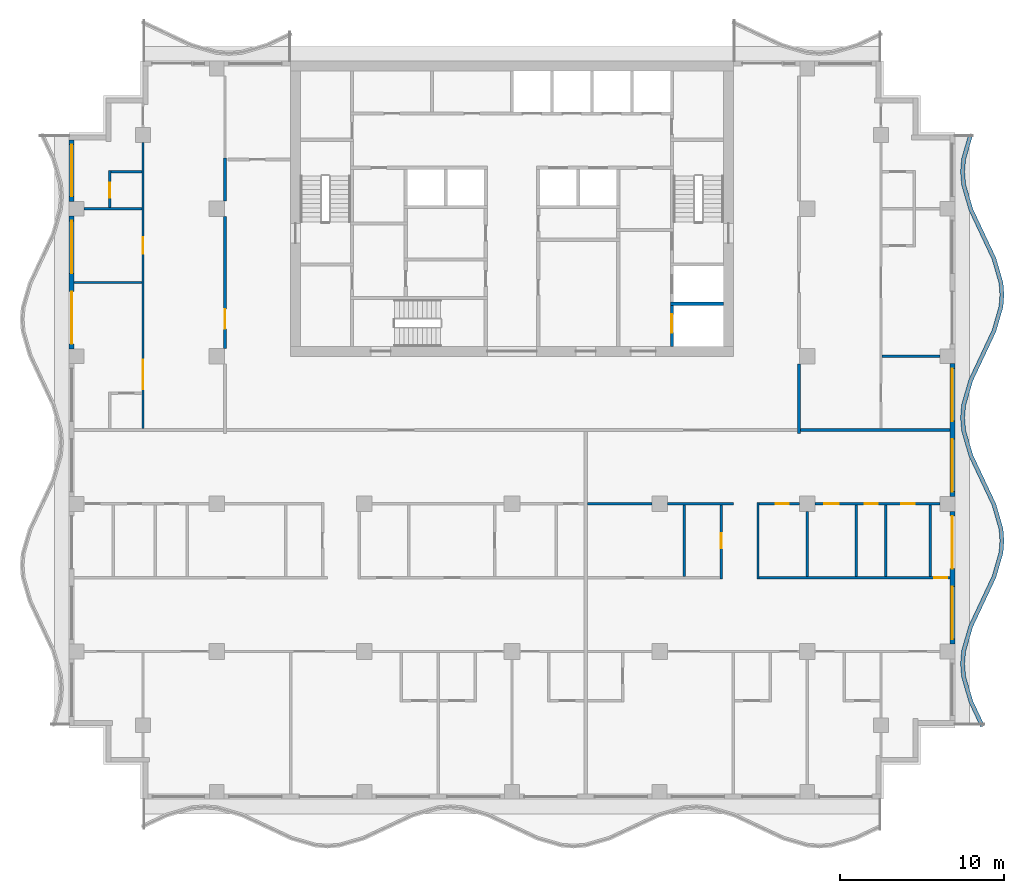
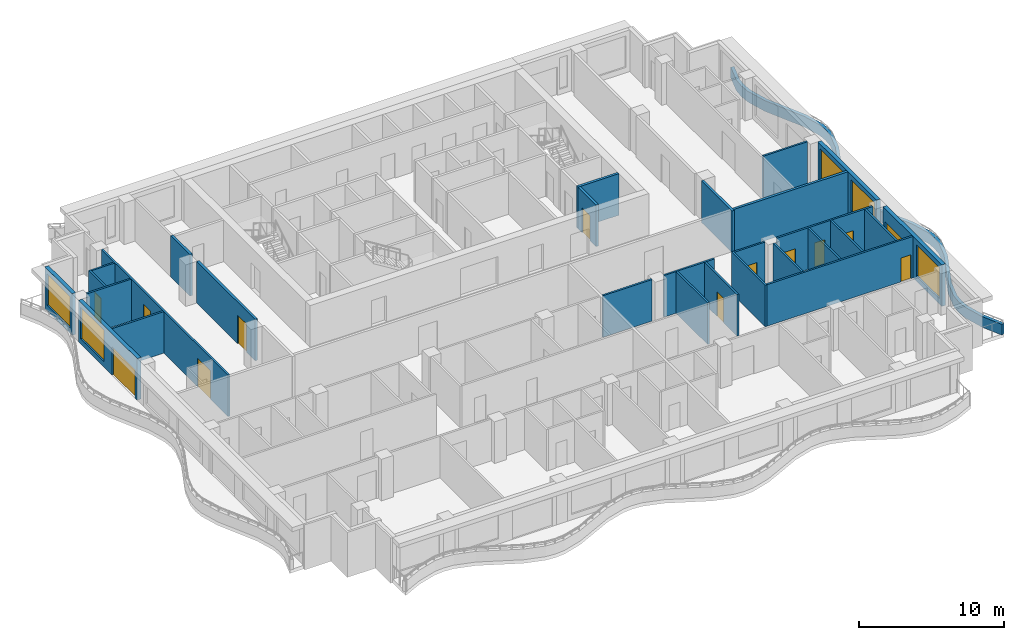
# One storey, part 4 of 11: 29 walls, 13 doors, 5 windows, 18 openings.
"""IFC4 building model written with IfcOpenShell, lengths in metres."""

from ifc_helpers import new_model, si_unit, direction, frame, frame_2d, origin, place, context, subcontext, project, spatial, polyline, rectangle, outline, extrude, material, layer, layer_set, type_object, element, fill, save


model = new_model("IFC4")

# Units and contexts
model_context = context("Model", 3, precision=1e-05, world=origin(), true_north=direction((0.0, 1.0)))
body_context = subcontext(model_context, "Body", "Model", "MODEL_VIEW")
ifc_project = project(units=[si_unit("LENGTHUNIT", "METRE"), si_unit("AREAUNIT", "SQUARE_METRE"), si_unit("VOLUMEUNIT", "CUBIC_METRE"), si_unit("PLANEANGLEUNIT", "RADIAN"), si_unit("MASSUNIT", "GRAM", prefix="KILO")], contexts=[model_context])

# Site, building, storey
site_placement = place(None, origin())
site = spatial("IfcSite", under=ifc_project, at=site_placement, CompositionType="ELEMENT")
building_placement = place(site_placement, origin())
building = spatial("IfcBuilding", under=site, at=building_placement, Name="Orbiselva Terraces", CompositionType="ELEMENT")
storey_placement = place(building_placement, frame((0.0, 0.0, 257.8)))
storey = spatial("IfcBuildingStorey", under=building, at=storey_placement, Name="L65", CompositionType="ELEMENT", Elevation=257.8)

# Wall, opening, door
ifc_material_1 = material(Name="Concrete C60/75", Category="concrete")
ifc_layer_1 = layer(ifc_material_1, 0.2)
ifc_layer_set_1 = layer_set([ifc_layer_1], Name="Concrete C60/75")
wall_type_1 = type_object("IfcWallType", Name="CORE-WALL-SHEAR-200", PredefinedType="SHEAR", material=ifc_layer_set_1)
wall_1_placement = place(storey_placement, frame((9.75, 5.1, 0.0), z_axis=(0.0, 0.0, 1.0), x_axis=(0.0, 1.0, 0.0)))
wall_1 = element("IfcWall", 1, at=wall_1_placement, inside=storey, type_object=wall_type_1, Name="L65 core wall 42", PredefinedType="SHEAR", context=body_context, shape_type="SweptSolid", body=[
    extrude(rectangle(XDim=2.5, YDim=0.2, at=frame_2d((1.25, 0.0))), origin(), (0.0, 0.0, 1.0), 3.5),
])
opening_1_placement = place(wall_1_placement, frame((0.85, 0.0, 0.0)))
opening_1 = element("IfcOpeningElement", 2, at=opening_1_placement, cuts=wall_1, Name="Opening LD-FF1", PredefinedType="OPENING", context=body_context, shape_type="SweptSolid", body=[
    extrude(rectangle(XDim=1.1, YDim=2.1, at=frame_2d((0.55, 1.05))), frame((0.0, 0.11, 0.0), z_axis=(0.0, -1.0, 0.0), x_axis=(1.0, 0.0, 0.0)), (0.0, 0.0, 1.0), 0.22),
])
ifc_material_2 = material(Name="Stainless steel landing door", Category="steel")
door_type_1 = type_object("IfcDoorType", Name="LANDING DOOR 1100", OperationType="SLIDING_TO_LEFT", PredefinedType="DOOR", material=ifc_material_2)
door_1_placement = place(opening_1_placement, origin())
door_1 = element("IfcDoor", 3, at=door_1_placement, inside=storey, type_object=door_type_1, Name="L65 landing door FF1", OperationType="SLIDING_TO_RIGHT", OverallHeight=2.1, OverallWidth=1.1, PredefinedType="DOOR", context=body_context, shape_type="SweptSolid", body=[
    extrude(rectangle(XDim=1.1, YDim=2.1, at=frame_2d((0.55, 1.05))), frame((0.0, 0.025, 0.0), z_axis=(0.0, -1.0, 0.0), x_axis=(1.0, 0.0, 0.0)), (0.0, 0.0, 1.0), 0.05),
])
fill(opening_1, door_1)

# Walls
wall_2_placement = place(storey_placement, frame((9.65, 7.7, 0.0), z_axis=(0.0, 0.0, 1.0), x_axis=(1.0, 0.0, 0.0)))
element("IfcWall", 4, at=wall_2_placement, inside=storey, type_object=wall_type_1, Name="L65 core wall 43", PredefinedType="SHEAR", context=body_context, shape_type="SweptSolid", body=[
    extrude(rectangle(XDim=3.25, YDim=0.2, at=frame_2d((1.625, 0.0))), origin(), (0.0, 0.0, 1.0), 3.5),
])
ifc_material_3 = material(Name="Concrete C40/50", Category="concrete")
ifc_layer_2 = layer(ifc_material_3, 0.25)
ifc_layer_set_2 = layer_set([ifc_layer_2], Name="Concrete C40/50")
wall_type_2 = type_object("IfcWallType", Name="ENV-PLANTER-250x900", PredefinedType="USERDEFINED", material=ifc_layer_set_2)
wall_3_placement = place(storey_placement, origin())
element("IfcWall", 5, at=wall_3_placement, inside=storey, type_object=wall_type_2, Name="Balcony planter L65 E", ObjectType="PLANTER", PredefinedType="USERDEFINED", context=body_context, shape_type="SweptSolid", body=[
    extrude(outline(polyline([(28.8, -18.0), (28.094658, -16.5), (27.658732, -15.0), (27.6, -14.25), (27.658732, -13.5), (28.094658, -12.0), (28.8, -10.5), (29.505342, -9.0), (29.941268, -7.5), (30.0, -6.75), (29.941268, -6.0), (29.505342, -4.5), (28.8, -3.0), (28.094658, -1.5), (27.658732, 0.0), (27.6, 0.75), (27.658732, 1.5), (28.094658, 3.0), (28.8, 4.5), (29.505342, 6.0), (29.941268, 7.5), (30.0, 8.25), (29.941268, 9.0), (29.505342, 10.5), (28.8, 12.0), (28.094658, 13.5), (27.658732, 15.0), (27.6, 15.75), (27.658732, 16.5), (28.094658, 18.0), (27.85459, 18.069768), (27.411499, 16.545114), (27.349235, 15.75), (27.411499, 14.954886), (27.860069, 13.411382), (28.573764, 11.893617), (29.270753, 10.411382), (29.694035, 8.954886), (29.749235, 8.25), (29.694035, 7.545114), (29.270753, 6.088618), (28.573764, 4.606383), (27.860069, 3.088618), (27.411499, 1.545114), (27.349235, 0.75), (27.411499, -0.045114), (27.860069, -1.588618), (28.573764, -3.106383), (29.270753, -4.588618), (29.694035, -6.045114), (29.749235, -6.75), (29.694035, -7.454886), (29.270753, -8.911382), (28.573764, -10.393617), (27.860069, -11.911382), (27.411499, -13.454886), (27.349235, -14.25), (27.411499, -15.045114), (27.860069, -16.588618), (28.573764, -18.106383), (28.8, -18.0)])), origin(), (0.0, 0.0, 1.0), 0.9),
])

# Wall, openings, door, window
ifc_material_4 = material(Name="Terracotta cladding on masonry backing", Category="masonry")
ifc_layer_3 = layer(ifc_material_4, 0.3)
ifc_layer_set_3 = layer_set([ifc_layer_3], Name="Terracotta cladding on masonry backing")
wall_type_3 = type_object("IfcWallType", Name="ENV-WALL-TERRACOTTA-300", PredefinedType="SOLIDWALL", material=ifc_layer_set_3)
wall_4_placement = place(storey_placement, frame((26.85, -4.95, 0.0), z_axis=(0.0, 0.0, 1.0), x_axis=(0.0, -1.0, 0.0)))
wall_4 = element("IfcWall", 6, at=wall_4_placement, inside=storey, type_object=wall_type_3, Name="Facade wall L65 E", PredefinedType="SOLIDWALL", context=body_context, shape_type="SweptSolid", body=[
    extrude(rectangle(XDim=8.1, YDim=0.3, at=frame_2d((4.05, 0.0))), origin(), (0.0, 0.0, 1.0), 3.5),
])
opening_2_placement = place(wall_4_placement, frame((4.6, 0.0, 0.45)))
opening_2 = element("IfcOpeningElement", 7, at=opening_2_placement, cuts=wall_4, Name="Opening WN17", PredefinedType="OPENING", context=body_context, shape_type="SweptSolid", body=[
    extrude(rectangle(XDim=3.2, YDim=2.65, at=frame_2d((1.6, 1.325))), frame((0.0, 0.16, 0.0), z_axis=(0.0, -1.0, 0.0), x_axis=(1.0, 0.0, 0.0)), (0.0, 0.0, 1.0), 0.32),
])
opening_3_placement = place(wall_4_placement, frame((0.3, 0.0, 0.0)))
opening_3 = element("IfcOpeningElement", 8, at=opening_3_placement, cuts=wall_4, Name="Opening Z5-B-E14", PredefinedType="OPENING", context=body_context, shape_type="SweptSolid", body=[
    extrude(rectangle(XDim=3.2, YDim=2.4, at=frame_2d((1.6, 1.2))), frame((0.0, 0.16, 0.0), z_axis=(0.0, -1.0, 0.0), x_axis=(1.0, 0.0, 0.0)), (0.0, 0.0, 1.0), 0.32),
])
ifc_material_5 = material(Name="Clear low-e glazing in aluminium frame", Category="aluminium")
door_type_2 = type_object("IfcDoorType", Name="BALCONY DOOR 3200 X 2400", OperationType="DOUBLE_DOOR_SLIDING", PredefinedType="DOOR", material=ifc_material_5)
door_2_placement = place(opening_3_placement, origin())
door_2 = element("IfcDoor", 9, at=door_2_placement, inside=storey, type_object=door_type_2, Name="Z5-B-E14", OperationType="SINGLE_SWING_LEFT", OverallHeight=2.4, OverallWidth=3.2, PredefinedType="DOOR", context=body_context, shape_type="SweptSolid", body=[
    extrude(rectangle(XDim=3.2, YDim=2.4, at=frame_2d((1.6, 1.2))), frame((0.0, 0.025, 0.0), z_axis=(0.0, -1.0, 0.0), x_axis=(1.0, 0.0, 0.0)), (0.0, 0.0, 1.0), 0.05),
])
fill(opening_3, door_2)
window_type_1 = type_object("IfcWindowType", Name="WINDOW 3200 X 2650 S450", PartitioningType="TRIPLE_PANEL_VERTICAL", PredefinedType="WINDOW", material=ifc_material_5)
window_1_placement = place(opening_2_placement, origin())
window_1 = element("IfcWindow", 10, at=window_1_placement, inside=storey, type_object=window_type_1, Name="Window L65 E", OverallHeight=2.65, OverallWidth=3.2, PartitioningType="SINGLE_PANEL", PredefinedType="WINDOW", context=body_context, shape_type="SweptSolid", body=[
    extrude(rectangle(XDim=3.2, YDim=2.65, at=frame_2d((1.6, 1.325))), frame((0.0, 0.03, 0.0), z_axis=(0.0, -1.0, 0.0), x_axis=(1.0, 0.0, 0.0)), (0.0, 0.0, 1.0), 0.06),
])
fill(opening_2, window_1)

# Wall, openings, windows
wall_5_placement = place(storey_placement, frame((26.85, 4.05, 0.0), z_axis=(0.0, 0.0, 1.0), x_axis=(0.0, -1.0, 0.0)))
wall_5 = element("IfcWall", 11, at=wall_5_placement, inside=storey, type_object=wall_type_3, Name="Facade wall L65 E", PredefinedType="SOLIDWALL", context=body_context, shape_type="SweptSolid", body=[
    extrude(rectangle(XDim=8.1, YDim=0.3, at=frame_2d((4.05, 0.0))), origin(), (0.0, 0.0, 1.0), 3.5),
])
opening_4_placement = place(wall_5_placement, frame((4.6, 0.0, 0.45)))
opening_4 = element("IfcOpeningElement", 12, at=opening_4_placement, cuts=wall_5, Name="Opening WN17", PredefinedType="OPENING", context=body_context, shape_type="SweptSolid", body=[
    extrude(rectangle(XDim=3.2, YDim=2.65, at=frame_2d((1.6, 1.325))), frame((0.0, 0.16, 0.0), z_axis=(0.0, -1.0, 0.0), x_axis=(1.0, 0.0, 0.0)), (0.0, 0.0, 1.0), 0.32),
])
opening_5_placement = place(wall_5_placement, frame((0.3, 0.0, 0.45)))
opening_5 = element("IfcOpeningElement", 13, at=opening_5_placement, cuts=wall_5, Name="Opening WN17", PredefinedType="OPENING", context=body_context, shape_type="SweptSolid", body=[
    extrude(rectangle(XDim=3.2, YDim=2.65, at=frame_2d((1.6, 1.325))), frame((0.0, 0.16, 0.0), z_axis=(0.0, -1.0, 0.0), x_axis=(1.0, 0.0, 0.0)), (0.0, 0.0, 1.0), 0.32),
])
window_2_placement = place(opening_4_placement, origin())
window_2 = element("IfcWindow", 14, at=window_2_placement, inside=storey, type_object=window_type_1, Name="Window L65 E", OverallHeight=2.65, OverallWidth=3.2, PartitioningType="SINGLE_PANEL", PredefinedType="WINDOW", context=body_context, shape_type="SweptSolid", body=[
    extrude(rectangle(XDim=3.2, YDim=2.65, at=frame_2d((1.6, 1.325))), frame((0.0, 0.03, 0.0), z_axis=(0.0, -1.0, 0.0), x_axis=(1.0, 0.0, 0.0)), (0.0, 0.0, 1.0), 0.06),
])
fill(opening_4, window_2)
window_3_placement = place(opening_5_placement, origin())
window_3 = element("IfcWindow", 15, at=window_3_placement, inside=storey, type_object=window_type_1, Name="Window L65 E", OverallHeight=2.65, OverallWidth=3.2, PartitioningType="SINGLE_PANEL", PredefinedType="WINDOW", context=body_context, shape_type="SweptSolid", body=[
    extrude(rectangle(XDim=3.2, YDim=2.65, at=frame_2d((1.6, 1.325))), frame((0.0, 0.03, 0.0), z_axis=(0.0, -1.0, 0.0), x_axis=(1.0, 0.0, 0.0)), (0.0, 0.0, 1.0), 0.06),
])
fill(opening_5, window_3)

# Wall, opening, window
wall_6_placement = place(storey_placement, frame((-26.85, 13.95, 0.0), z_axis=(0.0, 0.0, 1.0), x_axis=(0.0, 1.0, 0.0)))
wall_6 = element("IfcWall", 16, at=wall_6_placement, inside=storey, type_object=wall_type_3, Name="Facade wall L65 W", PredefinedType="SOLIDWALL", context=body_context, shape_type="SweptSolid", body=[
    extrude(rectangle(XDim=3.75, YDim=0.3, at=frame_2d((1.875, 0.0))), origin(), (0.0, 0.0, 1.0), 3.5),
])
opening_6_placement = place(wall_6_placement, frame((0.3, 0.0, 0.45)))
opening_6 = element("IfcOpeningElement", 17, at=opening_6_placement, cuts=wall_6, Name="Opening WN16", PredefinedType="OPENING", context=body_context, shape_type="SweptSolid", body=[
    extrude(rectangle(XDim=3.15, YDim=2.65, at=frame_2d((1.575, 1.325))), frame((0.0, 0.16, 0.0), z_axis=(0.0, -1.0, 0.0), x_axis=(1.0, 0.0, 0.0)), (0.0, 0.0, 1.0), 0.32),
])
window_type_2 = type_object("IfcWindowType", Name="WINDOW 3150 X 2650 S450", PartitioningType="TRIPLE_PANEL_VERTICAL", PredefinedType="WINDOW", material=ifc_material_5)
window_4_placement = place(opening_6_placement, origin())
window_4 = element("IfcWindow", 18, at=window_4_placement, inside=storey, type_object=window_type_2, Name="Window L65 W", OverallHeight=2.65, OverallWidth=3.15, PartitioningType="SINGLE_PANEL", PredefinedType="WINDOW", context=body_context, shape_type="SweptSolid", body=[
    extrude(rectangle(XDim=3.15, YDim=2.65, at=frame_2d((1.575, 1.325))), frame((0.0, 0.03, 0.0), z_axis=(0.0, -1.0, 0.0), x_axis=(1.0, 0.0, 0.0)), (0.0, 0.0, 1.0), 0.06),
])
fill(opening_6, window_4)

# Wall, openings, door, window
wall_7_placement = place(storey_placement, frame((-26.85, 4.95, 0.0), z_axis=(0.0, 0.0, 1.0), x_axis=(0.0, 1.0, 0.0)))
wall_7 = element("IfcWall", 19, at=wall_7_placement, inside=storey, type_object=wall_type_3, Name="Facade wall L65 W", PredefinedType="SOLIDWALL", context=body_context, shape_type="SweptSolid", body=[
    extrude(rectangle(XDim=8.1, YDim=0.3, at=frame_2d((4.05, 0.0))), origin(), (0.0, 0.0, 1.0), 3.5),
])
opening_7_placement = place(wall_7_placement, frame((4.6, 0.0, 0.45)))
opening_7 = element("IfcOpeningElement", 20, at=opening_7_placement, cuts=wall_7, Name="Opening WN17", PredefinedType="OPENING", context=body_context, shape_type="SweptSolid", body=[
    extrude(rectangle(XDim=3.2, YDim=2.65, at=frame_2d((1.6, 1.325))), frame((0.0, 0.16, 0.0), z_axis=(0.0, -1.0, 0.0), x_axis=(1.0, 0.0, 0.0)), (0.0, 0.0, 1.0), 0.32),
])
opening_8_placement = place(wall_7_placement, frame((0.3, 0.0, 0.0)))
opening_8 = element("IfcOpeningElement", 21, at=opening_8_placement, cuts=wall_7, Name="Opening Z5-B-E17", PredefinedType="OPENING", context=body_context, shape_type="SweptSolid", body=[
    extrude(rectangle(XDim=3.2, YDim=2.4, at=frame_2d((1.6, 1.2))), frame((0.0, 0.16, 0.0), z_axis=(0.0, -1.0, 0.0), x_axis=(1.0, 0.0, 0.0)), (0.0, 0.0, 1.0), 0.32),
])
door_3_placement = place(opening_8_placement, origin())
door_3 = element("IfcDoor", 22, at=door_3_placement, inside=storey, type_object=door_type_2, Name="Z5-B-E17", OperationType="SINGLE_SWING_LEFT", OverallHeight=2.4, OverallWidth=3.2, PredefinedType="DOOR", context=body_context, shape_type="SweptSolid", body=[
    extrude(rectangle(XDim=3.2, YDim=2.4, at=frame_2d((1.6, 1.2))), frame((0.0, 0.025, 0.0), z_axis=(0.0, -1.0, 0.0), x_axis=(1.0, 0.0, 0.0)), (0.0, 0.0, 1.0), 0.05),
])
fill(opening_8, door_3)
window_5_placement = place(opening_7_placement, origin())
window_5 = element("IfcWindow", 23, at=window_5_placement, inside=storey, type_object=window_type_1, Name="Window L65 W", OverallHeight=2.65, OverallWidth=3.2, PartitioningType="SINGLE_PANEL", PredefinedType="WINDOW", context=body_context, shape_type="SweptSolid", body=[
    extrude(rectangle(XDim=3.2, YDim=2.65, at=frame_2d((1.6, 1.325))), frame((0.0, 0.03, 0.0), z_axis=(0.0, -1.0, 0.0), x_axis=(1.0, 0.0, 0.0)), (0.0, 0.0, 1.0), 0.06),
])
fill(opening_7, window_5)

# Wall, opening, door
ifc_material_6 = material(Name="Plasterboard on steel stud partition", Category="steel")
ifc_layer_4 = layer(ifc_material_6, 0.2)
ifc_layer_set_4 = layer_set([ifc_layer_4], Name="Plasterboard on steel stud partition")
wall_type_4 = type_object("IfcWallType", Name="UNIT-ENTRANCE-WALL-200", PredefinedType="PARTITIONING", material=ifc_layer_set_4)
wall_8_placement = place(storey_placement, frame((-17.5, 4.975, 0.0), z_axis=(0.0, 0.0, 1.0), x_axis=(0.0, 1.0, 0.0)))
wall_8 = element("IfcWall", 24, at=wall_8_placement, inside=storey, type_object=wall_type_4, Name="PARTITION L65-049", PredefinedType="PARTITIONING", context=body_context, shape_type="SweptSolid", body=[
    extrude(rectangle(XDim=8.05, YDim=0.2, at=frame_2d((4.025, 0.0))), origin(), (0.0, 0.0, 1.0), 3.5),
])
opening_9_placement = place(wall_8_placement, frame((1.2, 0.0, 0.0)))
opening_9 = element("IfcOpeningElement", 25, at=opening_9_placement, cuts=wall_8, Name="Opening Z5-B-02", PredefinedType="OPENING", context=body_context, shape_type="SweptSolid", body=[
    extrude(rectangle(XDim=1.2, YDim=2.4, at=frame_2d((0.6, 1.2))), frame((0.0, 0.11, 0.0), z_axis=(0.0, -1.0, 0.0), x_axis=(1.0, 0.0, 0.0)), (0.0, 0.0, 1.0), 0.22),
])
ifc_material_7 = material(Name="Painted timber door leaf", Category="wood")
door_type_3 = type_object("IfcDoorType", Name="ENTRANCE DOOR 1200", OperationType="NOTDEFINED", PredefinedType="DOOR", material=ifc_material_7)
door_4_placement = place(opening_9_placement, origin())
door_4 = element("IfcDoor", 26, at=door_4_placement, inside=storey, type_object=door_type_3, Name="Z5-B-02", OperationType="SINGLE_SWING_LEFT", OverallHeight=2.4, OverallWidth=1.2, PredefinedType="DOOR", context=body_context, shape_type="SweptSolid", body=[
    extrude(rectangle(XDim=1.2, YDim=2.4, at=frame_2d((0.6, 1.2))), frame((0.0, 0.025, 0.0), z_axis=(0.0, -1.0, 0.0), x_axis=(1.0, 0.0, 0.0)), (0.0, 0.0, 1.0), 0.05),
])
fill(opening_9, door_4)

# Walls
wall_9_placement = place(storey_placement, frame((-17.5, 13.975, 0.0), z_axis=(0.0, 0.0, 1.0), x_axis=(0.0, 1.0, 0.0)))
element("IfcWall", 27, at=wall_9_placement, inside=storey, type_object=wall_type_4, Name="PARTITION L65-050", PredefinedType="PARTITIONING", context=body_context, shape_type="SweptSolid", body=[
    extrude(rectangle(XDim=2.625, YDim=0.2, at=frame_2d((1.3125, 0.0))), origin(), (0.0, 0.0, 1.0), 3.5),
])
wall_10_placement = place(storey_placement, frame((17.5, -0.2, 0.0), z_axis=(0.0, 0.0, 1.0), x_axis=(0.0, 1.0, 0.0)))
element("IfcWall", 28, at=wall_10_placement, inside=storey, type_object=wall_type_4, Name="PARTITION L65-071", PredefinedType="PARTITIONING", context=body_context, shape_type="SweptSolid", body=[
    extrude(rectangle(XDim=4.225, YDim=0.2, at=frame_2d((2.1125, 0.0))), origin(), (0.0, 0.0, 1.0), 3.5),
])

# Wall, opening, door
ifc_layer_5 = layer(ifc_material_6, 0.15)
ifc_layer_set_5 = layer_set([ifc_layer_5], Name="Plasterboard on steel stud partition")
wall_type_5 = type_object("IfcWallType", Name="UNIT-PARTITION-150", PredefinedType="PARTITIONING", material=ifc_layer_set_5)
wall_11_placement = place(storey_placement, frame((15.075, -9.0, 0.0), z_axis=(0.0, 0.0, 1.0), x_axis=(1.0, 0.0, 0.0)))
wall_11 = element("IfcWall", 29, at=wall_11_placement, inside=storey, type_object=wall_type_5, Name="PARTITION L65-017", PredefinedType="PARTITIONING", context=body_context, shape_type="SweptSolid", body=[
    extrude(rectangle(XDim=11.625, YDim=0.15, at=frame_2d((5.8125, 0.0))), origin(), (0.0, 0.0, 1.0), 3.5),
])
opening_10_placement = place(wall_11_placement, frame((10.675, 0.0, 0.0)))
opening_10 = element("IfcOpeningElement", 30, at=opening_10_placement, cuts=wall_11, Name="Opening Z5-B-39", PredefinedType="OPENING", context=body_context, shape_type="SweptSolid", body=[
    extrude(rectangle(XDim=0.8, YDim=2.0, at=frame_2d((0.4, 1.0))), frame((0.0, 0.085, 0.0), z_axis=(0.0, -1.0, 0.0), x_axis=(1.0, 0.0, 0.0)), (0.0, 0.0, 1.0), 0.17),
])
door_type_4 = type_object("IfcDoorType", Name="STORE DOOR 800", OperationType="NOTDEFINED", PredefinedType="DOOR", material=ifc_material_7)
door_5_placement = place(opening_10_placement, origin())
door_5 = element("IfcDoor", 31, at=door_5_placement, inside=storey, type_object=door_type_4, Name="Z5-B-39", OperationType="SINGLE_SWING_RIGHT", OverallHeight=2.0, OverallWidth=0.8, PredefinedType="DOOR", context=body_context, shape_type="SweptSolid", body=[
    extrude(rectangle(XDim=0.8, YDim=2.0, at=frame_2d((0.4, 1.0))), frame((0.0, 0.025, 0.0), z_axis=(0.0, -1.0, 0.0), x_axis=(1.0, 0.0, 0.0)), (0.0, 0.0, 1.0), 0.05),
])
fill(opening_10, door_5)

# Walls
wall_12_placement = place(storey_placement, frame((4.6, -4.5, 0.0), z_axis=(0.0, 0.0, 1.0), x_axis=(1.0, 0.0, 0.0)))
element("IfcWall", 32, at=wall_12_placement, inside=storey, type_object=wall_type_5, Name="PARTITION L65-022", PredefinedType="PARTITIONING", context=body_context, shape_type="SweptSolid", body=[
    extrude(rectangle(XDim=3.925, YDim=0.15, at=frame_2d((1.9625, 0.0))), origin(), (0.0, 0.0, 1.0), 3.5),
])
wall_13_placement = place(storey_placement, frame((9.475, -4.5, 0.0), z_axis=(0.0, 0.0, 1.0), x_axis=(1.0, 0.0, 0.0)))
element("IfcWall", 33, at=wall_13_placement, inside=storey, type_object=wall_type_5, Name="PARTITION L65-023", PredefinedType="PARTITIONING", context=body_context, shape_type="SweptSolid", body=[
    extrude(rectangle(XDim=4.025, YDim=0.15, at=frame_2d((2.0125, 0.0))), origin(), (0.0, 0.0, 1.0), 3.5),
])

# Wall, opening, door
wall_14_placement = place(storey_placement, frame((17.525, -4.5, 0.0), z_axis=(0.0, 0.0, 1.0), x_axis=(-1.0, 0.0, 0.0)))
wall_14 = element("IfcWall", 34, at=wall_14_placement, inside=storey, type_object=wall_type_5, Name="PARTITION L65-024", PredefinedType="PARTITIONING", context=body_context, shape_type="SweptSolid", body=[
    extrude(rectangle(XDim=2.45, YDim=0.15, at=frame_2d((1.225, 0.0))), origin(), (0.0, 0.0, 1.0), 3.5),
])
opening_11_placement = place(wall_14_placement, frame((0.65, 0.0, 0.0)))
opening_11 = element("IfcOpeningElement", 35, at=opening_11_placement, cuts=wall_14, Name="Opening Z5-B-35", PredefinedType="OPENING", context=body_context, shape_type="SweptSolid", body=[
    extrude(rectangle(XDim=0.8, YDim=2.0, at=frame_2d((0.4, 1.0))), frame((0.0, 0.085, 0.0), z_axis=(0.0, -1.0, 0.0), x_axis=(1.0, 0.0, 0.0)), (0.0, 0.0, 1.0), 0.17),
])
door_6_placement = place(opening_11_placement, origin())
door_6 = element("IfcDoor", 36, at=door_6_placement, inside=storey, type_object=door_type_4, Name="Z5-B-35", OperationType="SINGLE_SWING_LEFT", OverallHeight=2.0, OverallWidth=0.8, PredefinedType="DOOR", context=body_context, shape_type="SweptSolid", body=[
    extrude(rectangle(XDim=0.8, YDim=2.0, at=frame_2d((0.4, 1.0))), frame((0.0, 0.025, 0.0), z_axis=(0.0, -1.0, 0.0), x_axis=(1.0, 0.0, 0.0)), (0.0, 0.0, 1.0), 0.05),
])
fill(opening_11, door_6)

# Wall, openings, doors
wall_15_placement = place(storey_placement, frame((26.1, -4.5, 0.0), z_axis=(0.0, 0.0, 1.0), x_axis=(-1.0, 0.0, 0.0)))
wall_15 = element("IfcWall", 37, at=wall_15_placement, inside=storey, type_object=wall_type_5, Name="PARTITION L65-025", PredefinedType="PARTITIONING", context=body_context, shape_type="SweptSolid", body=[
    extrude(rectangle(XDim=7.625, YDim=0.15, at=frame_2d((3.8125, 0.0))), origin(), (0.0, 0.0, 1.0), 3.5),
])
opening_12_placement = place(wall_15_placement, frame((6.175, 0.0, 0.0)))
opening_12 = element("IfcOpeningElement", 38, at=opening_12_placement, cuts=wall_15, Name="Opening Z5-B-36", PredefinedType="OPENING", context=body_context, shape_type="SweptSolid", body=[
    extrude(rectangle(XDim=0.9, YDim=2.1, at=frame_2d((0.45, 1.05))), frame((0.0, 0.085, 0.0), z_axis=(0.0, -1.0, 0.0), x_axis=(1.0, 0.0, 0.0)), (0.0, 0.0, 1.0), 0.17),
])
opening_13_placement = place(wall_15_placement, frame((3.8, 0.0, 0.0)))
opening_13 = element("IfcOpeningElement", 39, at=opening_13_placement, cuts=wall_15, Name="Opening Z5-B-37", PredefinedType="OPENING", context=body_context, shape_type="SweptSolid", body=[
    extrude(rectangle(XDim=0.8, YDim=2.0, at=frame_2d((0.4, 1.0))), frame((0.0, 0.085, 0.0), z_axis=(0.0, -1.0, 0.0), x_axis=(1.0, 0.0, 0.0)), (0.0, 0.0, 1.0), 0.17),
])
opening_14_placement = place(wall_15_placement, frame((1.55, 0.0, 0.0)))
opening_14 = element("IfcOpeningElement", 40, at=opening_14_placement, cuts=wall_15, Name="Opening Z5-B-38", PredefinedType="OPENING", context=body_context, shape_type="SweptSolid", body=[
    extrude(rectangle(XDim=0.8, YDim=2.0, at=frame_2d((0.4, 1.0))), frame((0.0, 0.085, 0.0), z_axis=(0.0, -1.0, 0.0), x_axis=(1.0, 0.0, 0.0)), (0.0, 0.0, 1.0), 0.17),
])
door_type_5 = type_object("IfcDoorType", Name="SERVICE DOOR 900", OperationType="NOTDEFINED", PredefinedType="DOOR", material=ifc_material_7)
door_7_placement = place(opening_12_placement, origin())
door_7 = element("IfcDoor", 41, at=door_7_placement, inside=storey, type_object=door_type_5, Name="Z5-B-36", OperationType="SINGLE_SWING_RIGHT", OverallHeight=2.1, OverallWidth=0.9, PredefinedType="DOOR", context=body_context, shape_type="SweptSolid", body=[
    extrude(rectangle(XDim=0.9, YDim=2.1, at=frame_2d((0.45, 1.05))), frame((0.0, 0.025, 0.0), z_axis=(0.0, -1.0, 0.0), x_axis=(1.0, 0.0, 0.0)), (0.0, 0.0, 1.0), 0.05),
])
fill(opening_12, door_7)
door_8_placement = place(opening_13_placement, origin())
door_8 = element("IfcDoor", 42, at=door_8_placement, inside=storey, type_object=door_type_4, Name="Z5-B-37", OperationType="SINGLE_SWING_RIGHT", OverallHeight=2.0, OverallWidth=0.8, PredefinedType="DOOR", context=body_context, shape_type="SweptSolid", body=[
    extrude(rectangle(XDim=0.8, YDim=2.0, at=frame_2d((0.4, 1.0))), frame((0.0, 0.025, 0.0), z_axis=(0.0, -1.0, 0.0), x_axis=(1.0, 0.0, 0.0)), (0.0, 0.0, 1.0), 0.05),
])
fill(opening_13, door_8)
door_9_placement = place(opening_14_placement, origin())
door_9 = element("IfcDoor", 43, at=door_9_placement, inside=storey, type_object=door_type_4, Name="Z5-B-38", OperationType="SINGLE_SWING_LEFT", OverallHeight=2.0, OverallWidth=0.8, PredefinedType="DOOR", context=body_context, shape_type="SweptSolid", body=[
    extrude(rectangle(XDim=0.8, YDim=2.0, at=frame_2d((0.4, 1.0))), frame((0.0, 0.025, 0.0), z_axis=(0.0, -1.0, 0.0), x_axis=(1.0, 0.0, 0.0)), (0.0, 0.0, 1.0), 0.05),
])
fill(opening_14, door_9)

# Walls
wall_16_placement = place(storey_placement, frame((22.575, 4.5, 0.0), z_axis=(0.0, 0.0, 1.0), x_axis=(1.0, 0.0, 0.0)))
element("IfcWall", 44, at=wall_16_placement, inside=storey, type_object=wall_type_5, Name="PARTITION L65-030", PredefinedType="PARTITIONING", context=body_context, shape_type="SweptSolid", body=[
    extrude(rectangle(XDim=3.525, YDim=0.15, at=frame_2d((1.7625, 0.0))), origin(), (0.0, 0.0, 1.0), 3.5),
])
wall_17_placement = place(storey_placement, frame((-26.7, 9.0, 0.0), z_axis=(0.0, 0.0, 1.0), x_axis=(1.0, 0.0, 0.0)))
element("IfcWall", 45, at=wall_17_placement, inside=storey, type_object=wall_type_5, Name="PARTITION L65-031", PredefinedType="PARTITIONING", context=body_context, shape_type="SweptSolid", body=[
    extrude(rectangle(XDim=4.125, YDim=0.15, at=frame_2d((2.0625, 0.0))), origin(), (0.0, 0.0, 1.0), 3.5),
])
wall_18_placement = place(storey_placement, frame((-26.1, 13.5, 0.0), z_axis=(0.0, 0.0, 1.0), x_axis=(1.0, 0.0, 0.0)))
element("IfcWall", 46, at=wall_18_placement, inside=storey, type_object=wall_type_5, Name="PARTITION L65-033", PredefinedType="PARTITIONING", context=body_context, shape_type="SweptSolid", body=[
    extrude(rectangle(XDim=3.525, YDim=0.15, at=frame_2d((1.7625, 0.0))), origin(), (0.0, 0.0, 1.0), 3.5),
])
wall_19_placement = place(storey_placement, frame((-24.45, 15.75, 0.0), z_axis=(0.0, 0.0, 1.0), x_axis=(1.0, 0.0, 0.0)))
element("IfcWall", 47, at=wall_19_placement, inside=storey, type_object=wall_type_5, Name="PARTITION L65-036", PredefinedType="PARTITIONING", context=body_context, shape_type="SweptSolid", body=[
    extrude(rectangle(XDim=1.875, YDim=0.15, at=frame_2d((0.9375, 0.0))), origin(), (0.0, 0.0, 1.0), 3.5),
])

# Wall, opening, door
wall_20_placement = place(storey_placement, frame((-24.525, 15.825, 0.0), z_axis=(0.0, 0.0, 1.0), x_axis=(0.0, -1.0, 0.0)))
wall_20 = element("IfcWall", 48, at=wall_20_placement, inside=storey, type_object=wall_type_5, Name="PARTITION L65-040", PredefinedType="PARTITIONING", context=body_context, shape_type="SweptSolid", body=[
    extrude(rectangle(XDim=2.25, YDim=0.15, at=frame_2d((1.125, 0.0))), origin(), (0.0, 0.0, 1.0), 3.5),
])
opening_15_placement = place(wall_20_placement, frame((0.75, 0.0, 0.0)))
opening_15 = element("IfcOpeningElement", 49, at=opening_15_placement, cuts=wall_20, Name="Opening Z5-B-07", PredefinedType="OPENING", context=body_context, shape_type="SweptSolid", body=[
    extrude(rectangle(XDim=0.9, YDim=2.1, at=frame_2d((0.45, 1.05))), frame((0.0, 0.085, 0.0), z_axis=(0.0, -1.0, 0.0), x_axis=(1.0, 0.0, 0.0)), (0.0, 0.0, 1.0), 0.17),
])
door_type_6 = type_object("IfcDoorType", Name="BATH DOOR 900", OperationType="NOTDEFINED", PredefinedType="DOOR", material=ifc_material_7)
door_10_placement = place(opening_15_placement, origin())
door_10 = element("IfcDoor", 50, at=door_10_placement, inside=storey, type_object=door_type_6, Name="Z5-B-07", OperationType="SINGLE_SWING_RIGHT", OverallHeight=2.1, OverallWidth=0.9, PredefinedType="DOOR", context=body_context, shape_type="SweptSolid", body=[
    extrude(rectangle(XDim=0.9, YDim=2.1, at=frame_2d((0.45, 1.05))), frame((0.0, 0.025, 0.0), z_axis=(0.0, -1.0, 0.0), x_axis=(1.0, 0.0, 0.0)), (0.0, 0.0, 1.0), 0.05),
])
fill(opening_15, door_10)

# Wall, openings, doors
wall_21_placement = place(storey_placement, frame((-22.5, 0.1, 0.0), z_axis=(0.0, 0.0, 1.0), x_axis=(0.0, 1.0, 0.0)))
wall_21 = element("IfcWall", 51, at=wall_21_placement, inside=storey, type_object=wall_type_5, Name="PARTITION L65-044", PredefinedType="PARTITIONING", context=body_context, shape_type="SweptSolid", body=[
    extrude(rectangle(XDim=17.45, YDim=0.15, at=frame_2d((8.725, 0.0))), origin(), (0.0, 0.0, 1.0), 3.5),
])
opening_16_placement = place(wall_21_placement, frame((2.4, 0.0, 0.0)))
opening_16 = element("IfcOpeningElement", 52, at=opening_16_placement, cuts=wall_21, Name="Opening Z5-B-03", PredefinedType="OPENING", context=body_context, shape_type="SweptSolid", body=[
    extrude(rectangle(XDim=1.8, YDim=2.4, at=frame_2d((0.9, 1.2))), frame((0.0, 0.085, 0.0), z_axis=(0.0, -1.0, 0.0), x_axis=(1.0, 0.0, 0.0)), (0.0, 0.0, 1.0), 0.17),
])
opening_17_placement = place(wall_21_placement, frame((10.65, 0.0, 0.0)))
opening_17 = element("IfcOpeningElement", 53, at=opening_17_placement, cuts=wall_21, Name="Opening Z5-B-05", PredefinedType="OPENING", context=body_context, shape_type="SweptSolid", body=[
    extrude(rectangle(XDim=1.0, YDim=2.4, at=frame_2d((0.5, 1.2))), frame((0.0, 0.085, 0.0), z_axis=(0.0, -1.0, 0.0), x_axis=(1.0, 0.0, 0.0)), (0.0, 0.0, 1.0), 0.17),
])
door_type_7 = type_object("IfcDoorType", Name="DOUBLE DOOR 1800", OperationType="NOTDEFINED", PredefinedType="DOOR", material=ifc_material_7)
door_11_placement = place(opening_16_placement, origin())
door_11 = element("IfcDoor", 54, at=door_11_placement, inside=storey, type_object=door_type_7, Name="Z5-B-03", OperationType="DOUBLE_DOOR_SINGLE_SWING", OverallHeight=2.4, OverallWidth=1.8, PredefinedType="DOOR", context=body_context, shape_type="SweptSolid", body=[
    extrude(rectangle(XDim=1.8, YDim=2.4, at=frame_2d((0.9, 1.2))), frame((0.0, 0.025, 0.0), z_axis=(0.0, -1.0, 0.0), x_axis=(1.0, 0.0, 0.0)), (0.0, 0.0, 1.0), 0.05),
])
fill(opening_16, door_11)
door_type_8 = type_object("IfcDoorType", Name="ROOM DOOR 1000", OperationType="NOTDEFINED", PredefinedType="DOOR", material=ifc_material_7)
door_12_placement = place(opening_17_placement, origin())
door_12 = element("IfcDoor", 55, at=door_12_placement, inside=storey, type_object=door_type_8, Name="Z5-B-05", OperationType="SINGLE_SWING_RIGHT", OverallHeight=2.4, OverallWidth=1.0, PredefinedType="DOOR", context=body_context, shape_type="SweptSolid", body=[
    extrude(rectangle(XDim=1.0, YDim=2.4, at=frame_2d((0.5, 1.2))), frame((0.0, 0.025, 0.0), z_axis=(0.0, -1.0, 0.0), x_axis=(1.0, 0.0, 0.0)), (0.0, 0.0, 1.0), 0.05),
])
fill(opening_17, door_12)

# Wall
wall_22_placement = place(storey_placement, frame((10.5, -8.925, 0.0), z_axis=(0.0, 0.0, 1.0), x_axis=(0.0, 1.0, 0.0)))
element("IfcWall", 56, at=wall_22_placement, inside=storey, type_object=wall_type_5, Name="PARTITION L65-066", PredefinedType="PARTITIONING", context=body_context, shape_type="SweptSolid", body=[
    extrude(rectangle(XDim=4.35, YDim=0.15, at=frame_2d((2.175, 0.0))), origin(), (0.0, 0.0, 1.0), 3.5),
])

# Wall, opening, door
wall_23_placement = place(storey_placement, frame((12.75, -9.075, 0.0), z_axis=(0.0, 0.0, 1.0), x_axis=(0.0, 1.0, 0.0)))
wall_23 = element("IfcWall", 57, at=wall_23_placement, inside=storey, type_object=wall_type_5, Name="PARTITION L65-067", PredefinedType="PARTITIONING", context=body_context, shape_type="SweptSolid", body=[
    extrude(rectangle(XDim=4.5, YDim=0.15, at=frame_2d((2.25, 0.0))), origin(), (0.0, 0.0, 1.0), 3.5),
])
opening_18_placement = place(wall_23_placement, frame((1.875, 0.0, 0.0)))
opening_18 = element("IfcOpeningElement", 58, at=opening_18_placement, cuts=wall_23, Name="Opening Z5-B-34", PredefinedType="OPENING", context=body_context, shape_type="SweptSolid", body=[
    extrude(rectangle(XDim=0.9, YDim=2.1, at=frame_2d((0.45, 1.05))), frame((0.0, 0.085, 0.0), z_axis=(0.0, -1.0, 0.0), x_axis=(1.0, 0.0, 0.0)), (0.0, 0.0, 1.0), 0.17),
])
door_13_placement = place(opening_18_placement, origin())
door_13 = element("IfcDoor", 59, at=door_13_placement, inside=storey, type_object=door_type_6, Name="Z5-B-34", OperationType="SINGLE_SWING_RIGHT", OverallHeight=2.1, OverallWidth=0.9, PredefinedType="DOOR", context=body_context, shape_type="SweptSolid", body=[
    extrude(rectangle(XDim=0.9, YDim=2.1, at=frame_2d((0.45, 1.05))), frame((0.0, 0.025, 0.0), z_axis=(0.0, -1.0, 0.0), x_axis=(1.0, 0.0, 0.0)), (0.0, 0.0, 1.0), 0.05),
])
fill(opening_18, door_13)

# Walls
wall_24_placement = place(storey_placement, frame((15.0, -9.075, 0.0), z_axis=(0.0, 0.0, 1.0), x_axis=(0.0, 1.0, 0.0)))
element("IfcWall", 60, at=wall_24_placement, inside=storey, type_object=wall_type_5, Name="PARTITION L65-069", PredefinedType="PARTITIONING", context=body_context, shape_type="SweptSolid", body=[
    extrude(rectangle(XDim=4.65, YDim=0.15, at=frame_2d((2.325, 0.0))), origin(), (0.0, 0.0, 1.0), 3.5),
])
wall_25_placement = place(storey_placement, frame((18.0, -8.925, 0.0), z_axis=(0.0, 0.0, 1.0), x_axis=(0.0, 1.0, 0.0)))
element("IfcWall", 61, at=wall_25_placement, inside=storey, type_object=wall_type_5, Name="PARTITION L65-075", PredefinedType="PARTITIONING", context=body_context, shape_type="SweptSolid", body=[
    extrude(rectangle(XDim=3.95, YDim=0.15, at=frame_2d((1.975, 0.0))), origin(), (0.0, 0.0, 1.0), 3.5),
])
for number, where, z_axis, x_axis, name in (
    (62, (21.0, -8.925, 0.0), (0.0, 0.0, 1.0), (0.0, 1.0, 0.0), "PARTITION L65-077"),
    (63, (22.8, -8.925, 0.0), (0.0, 0.0, 1.0), (0.0, 1.0, 0.0), "PARTITION L65-082"),
    (64, (25.5, -8.925, 0.0), (0.0, 0.0, 1.0), (0.0, 1.0, 0.0), "PARTITION L65-084"),
):
    element("IfcWall", number, at=place(storey_placement, frame(where, z_axis=z_axis, x_axis=x_axis)), inside=storey, type_object=wall_type_5, Name=name, PredefinedType="PARTITIONING", context=body_context, shape_type="SweptSolid", body=[
        extrude(rectangle(XDim=4.35, YDim=0.15, at=frame_2d((2.175, 0.0))), origin(), (0.0, 0.0, 1.0), 3.5),
    ])
ifc_layer_6 = layer(ifc_material_6, 0.2)
ifc_layer_set_6 = layer_set([ifc_layer_6], Name="Plasterboard on steel stud partition")
wall_type_6 = type_object("IfcWallType", Name="UNIT-PARTY-WALL-200", PredefinedType="PARTITIONING", material=ifc_layer_set_6)
wall_26_placement = place(storey_placement, frame((17.6, 0.0, 0.0), z_axis=(0.0, 0.0, 1.0), x_axis=(1.0, 0.0, 0.0)))
element("IfcWall", 65, at=wall_26_placement, inside=storey, type_object=wall_type_6, Name="PARTITION L65-028", PredefinedType="PARTITIONING", context=body_context, shape_type="SweptSolid", body=[
    extrude(rectangle(XDim=9.1, YDim=0.2, at=frame_2d((4.55, 0.0))), origin(), (0.0, 0.0, 1.0), 3.5),
])

save(model, "model.ifc")
